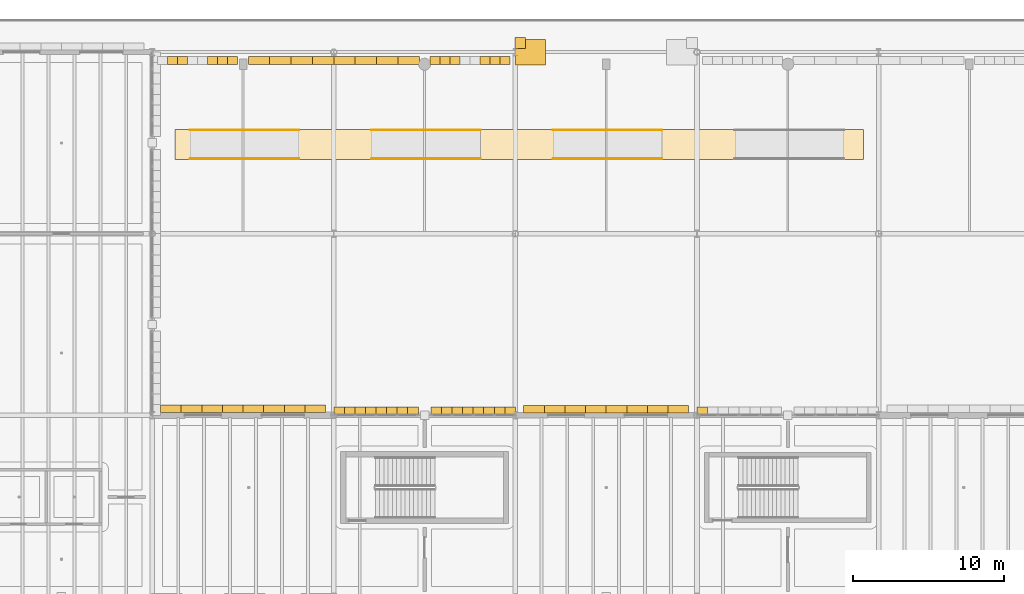
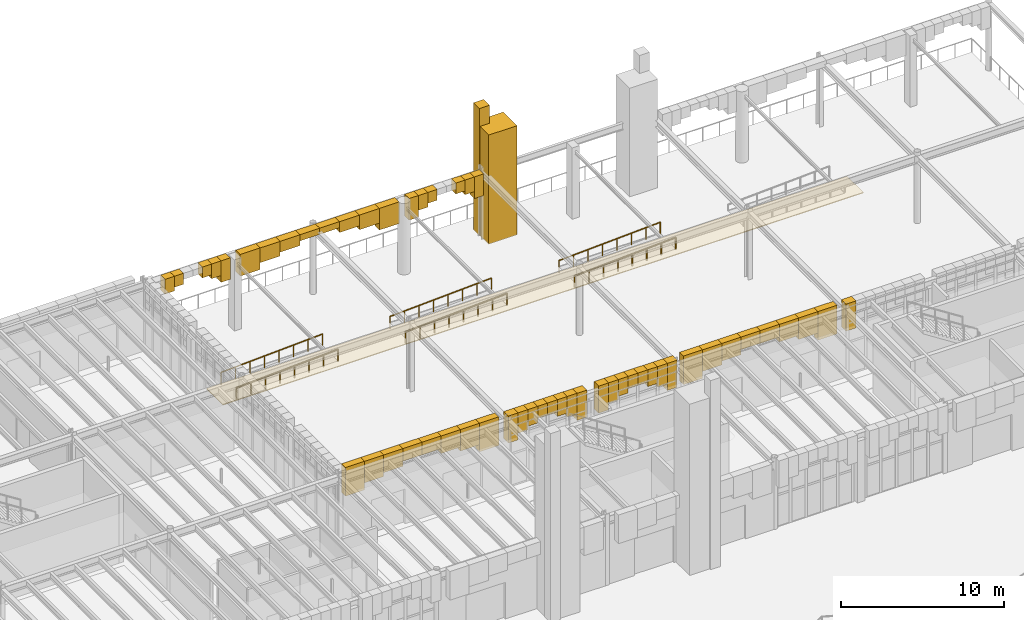
# One storey, part 89 of 103: 55 coverings, 6 railings.
"""IFC4 building model written with IfcOpenShell, lengths in metres."""

from ifc_helpers import new_model, si_unit, direction, frame, origin, origin_2d, place, context, subcontext, project, spatial, polyline, circle, outline, extrude, material, layer, layer_set, type_object, element, save


model = new_model("IFC4")

# Units and contexts
model_context = context("Model", 3, precision=1e-05, world=origin(), true_north=direction((0.0, 1.0)))
body_context = subcontext(model_context, "Body", "Model", "MODEL_VIEW")
ifc_project = project(units=[si_unit("LENGTHUNIT", "METRE"), si_unit("AREAUNIT", "SQUARE_METRE"), si_unit("VOLUMEUNIT", "CUBIC_METRE"), si_unit("PLANEANGLEUNIT", "RADIAN"), si_unit("MASSUNIT", "GRAM", prefix="KILO")], contexts=[model_context])

# Site, building, storey
site_placement = place(None, origin())
site = spatial("IfcSite", under=ifc_project, at=site_placement, CompositionType="ELEMENT")
building_placement = place(site_placement, origin())
building = spatial("IfcBuilding", under=site, at=building_placement, Name="Zlatogorsky Bluff Art Gallery", CompositionType="ELEMENT")
storey_placement = place(building_placement, origin())
storey = spatial("IfcBuildingStorey", under=building, at=storey_placement, Name="L00", CompositionType="ELEMENT", Elevation=0.0)

# Coverings
ifc_material_1 = material(Name="Honed Red Agra-Tone Quartzitic Sandstone", Category="masonry")
ifc_layer_1 = layer(ifc_material_1, 0.1201171875)
ifc_layer_set_1 = layer_set([ifc_layer_1], Name="Carved Sandstone Cladding CLD-02")
covering_type_1 = type_object("IfcCoveringType", Name="Carved Sandstone Cladding CLD-02", PredefinedType="CLADDING", material=ifc_layer_set_1)
covering_1_placement = place(storey_placement, frame((0.0, 0.0, 3.21240234375)))
element("IfcCovering", 1, at=covering_1_placement, inside=storey, type_object=covering_type_1, Name="Pointed Mughal arch voussoir spandrel WARCH-L00-N-05-08-A.1", PredefinedType="CLADDING", context=body_context, shape_type="SweptSolid", body=[
    extrude(outline(polyline([(60.550048828125, 96.18994140625), (61.91259765625, 96.18994140625), (61.91259765625, 96.679931640625), (60.550048828125, 96.679931640625), (60.550048828125, 96.18994140625)])), origin(), (0.0, 0.0, 1.0), 2.147705078125),
])
covering_2_placement = place(storey_placement, frame((0.0, 0.0, 3.743896484375)))
element("IfcCovering", 2, at=covering_2_placement, inside=storey, type_object=covering_type_1, Name="Pointed Mughal arch voussoir spandrel WARCH-L00-N-05-08-A.2", PredefinedType="CLADDING", context=body_context, shape_type="SweptSolid", body=[
    extrude(outline(polyline([(61.91259765625, 96.18994140625), (63.27490234375, 96.18994140625), (63.27490234375, 96.679931640625), (61.91259765625, 96.679931640625), (61.91259765625, 96.18994140625)])), origin(), (0.0, 0.0, 1.0), 1.6162109375),
])
covering_3_placement = place(storey_placement, frame((0.0, 0.0, 4.03662109375)))
element("IfcCovering", 3, at=covering_3_placement, inside=storey, type_object=covering_type_1, Name="Pointed Mughal arch voussoir spandrel WARCH-L00-N-05-08-A.3", PredefinedType="CLADDING", context=body_context, shape_type="SweptSolid", body=[
    extrude(outline(polyline([(63.27490234375, 96.18994140625), (64.637451171875, 96.18994140625), (64.637451171875, 96.679931640625), (63.27490234375, 96.679931640625), (63.27490234375, 96.18994140625)])), origin(), (0.0, 0.0, 1.0), 1.323486328125),
])
covering_4_placement = place(storey_placement, frame((0.0, 0.0, 4.405517578125)))
element("IfcCovering", 4, at=covering_4_placement, inside=storey, type_object=covering_type_1, Name="Pointed Mughal arch voussoir spandrel WARCH-L00-N-05-08-A.4", PredefinedType="CLADDING", context=body_context, shape_type="SweptSolid", body=[
    extrude(outline(polyline([(64.637451171875, 96.18994140625), (66.0, 96.18994140625), (66.0, 96.679931640625), (64.637451171875, 96.679931640625), (64.637451171875, 96.18994140625)])), origin(), (0.0, 0.0, 1.0), 0.95458984375),
])
covering_5_placement = place(storey_placement, frame((0.0, 0.0, 4.405517578125)))
element("IfcCovering", 5, at=covering_5_placement, inside=storey, type_object=covering_type_1, Name="Pointed Mughal arch voussoir spandrel WARCH-L00-N-05-08-A.5", PredefinedType="CLADDING", context=body_context, shape_type="SweptSolid", body=[
    extrude(outline(polyline([(66.0, 96.18994140625), (67.362548828125, 96.18994140625), (67.362548828125, 96.679931640625), (66.0, 96.679931640625), (66.0, 96.18994140625)])), origin(), (0.0, 0.0, 1.0), 0.95458984375),
])
covering_6_placement = place(storey_placement, frame((0.0, 0.0, 4.03662109375)))
element("IfcCovering", 6, at=covering_6_placement, inside=storey, type_object=covering_type_1, Name="Pointed Mughal arch voussoir spandrel WARCH-L00-N-05-08-A.6", PredefinedType="CLADDING", context=body_context, shape_type="SweptSolid", body=[
    extrude(outline(polyline([(67.362548828125, 96.18994140625), (68.72509765625, 96.18994140625), (68.72509765625, 96.679931640625), (67.362548828125, 96.679931640625), (67.362548828125, 96.18994140625)])), origin(), (0.0, 0.0, 1.0), 1.323486328125),
])
covering_7_placement = place(storey_placement, frame((0.0, 0.0, 3.743896484375)))
element("IfcCovering", 7, at=covering_7_placement, inside=storey, type_object=covering_type_1, Name="Pointed Mughal arch voussoir spandrel WARCH-L00-N-05-08-A.7", PredefinedType="CLADDING", context=body_context, shape_type="SweptSolid", body=[
    extrude(outline(polyline([(68.72509765625, 96.18994140625), (70.08740234375, 96.18994140625), (70.08740234375, 96.679931640625), (68.72509765625, 96.679931640625), (68.72509765625, 96.18994140625)])), origin(), (0.0, 0.0, 1.0), 1.6162109375),
])
covering_8_placement = place(storey_placement, frame((0.0, 0.0, 3.21240234375)))
element("IfcCovering", 8, at=covering_8_placement, inside=storey, type_object=covering_type_1, Name="Pointed Mughal arch voussoir spandrel WARCH-L00-N-05-08-A.8", PredefinedType="CLADDING", context=body_context, shape_type="SweptSolid", body=[
    extrude(outline(polyline([(70.08740234375, 96.18994140625), (71.449951171875, 96.18994140625), (71.449951171875, 96.679931640625), (70.08740234375, 96.679931640625), (70.08740234375, 96.18994140625)])), origin(), (0.0, 0.0, 1.0), 2.147705078125),
])
covering_9_placement = place(storey_placement, frame((0.0, 0.0, 3.327880859375)))
element("IfcCovering", 9, at=covering_9_placement, inside=storey, type_object=covering_type_1, Name="Pointed Mughal arch voussoir spandrel ARCH-CW-L00-N-06-08-A.1", PredefinedType="CLADDING", context=body_context, shape_type="SweptSolid", body=[
    extrude(outline(polyline([(78.419921875, 95.969970703125), (79.117431640625, 95.969970703125), (79.117431640625, 96.5400390625), (78.419921875, 96.5400390625), (78.419921875, 95.969970703125)])), origin(), (0.0, 0.0, 1.0), 2.0322265625),
])
covering_10_placement = place(storey_placement, frame((0.0, 0.0, 3.82958984375)))
element("IfcCovering", 10, at=covering_10_placement, inside=storey, type_object=covering_type_1, Name="Pointed Mughal arch voussoir spandrel ARCH-CW-L00-N-06-08-A.2", PredefinedType="CLADDING", context=body_context, shape_type="SweptSolid", body=[
    extrude(outline(polyline([(79.117431640625, 95.969970703125), (79.81494140625, 95.969970703125), (79.81494140625, 96.5400390625), (79.117431640625, 96.5400390625), (79.117431640625, 95.969970703125)])), origin(), (0.0, 0.0, 1.0), 1.530517578125),
])
covering_11_placement = place(storey_placement, frame((0.0, 0.0, 4.1064453125)))
element("IfcCovering", 11, at=covering_11_placement, inside=storey, type_object=covering_type_1, Name="Pointed Mughal arch voussoir spandrel ARCH-CW-L00-N-06-08-A.3", PredefinedType="CLADDING", context=body_context, shape_type="SweptSolid", body=[
    extrude(outline(polyline([(79.81494140625, 95.969970703125), (80.512451171875, 95.969970703125), (80.512451171875, 96.5400390625), (79.81494140625, 96.5400390625), (79.81494140625, 95.969970703125)])), origin(), (0.0, 0.0, 1.0), 1.253662109375),
])
covering_12_placement = place(storey_placement, frame((0.0, 0.0, 4.45458984375)))
element("IfcCovering", 12, at=covering_12_placement, inside=storey, type_object=covering_type_1, Name="Pointed Mughal arch voussoir spandrel ARCH-CW-L00-N-06-08-A.4", PredefinedType="CLADDING", context=body_context, shape_type="SweptSolid", body=[
    extrude(outline(polyline([(80.512451171875, 95.969970703125), (81.2099609375, 95.969970703125), (81.2099609375, 96.5400390625), (80.512451171875, 96.5400390625), (80.512451171875, 95.969970703125)])), origin(), (0.0, 0.0, 1.0), 0.905517578125),
])
covering_13_placement = place(storey_placement, frame((0.0, 0.0, 4.45458984375)))
element("IfcCovering", 13, at=covering_13_placement, inside=storey, type_object=covering_type_1, Name="Pointed Mughal arch voussoir spandrel ARCH-CW-L00-N-06-08-A.5", PredefinedType="CLADDING", context=body_context, shape_type="SweptSolid", body=[
    extrude(outline(polyline([(81.2099609375, 95.969970703125), (81.907470703125, 95.969970703125), (81.907470703125, 96.5400390625), (81.2099609375, 96.5400390625), (81.2099609375, 95.969970703125)])), origin(), (0.0, 0.0, 1.0), 0.905517578125),
])
covering_14_placement = place(storey_placement, frame((0.0, 0.0, 4.1064453125)))
element("IfcCovering", 14, at=covering_14_placement, inside=storey, type_object=covering_type_1, Name="Pointed Mughal arch voussoir spandrel ARCH-CW-L00-N-06-08-A.6", PredefinedType="CLADDING", context=body_context, shape_type="SweptSolid", body=[
    extrude(outline(polyline([(81.907470703125, 95.969970703125), (82.60498046875, 95.969970703125), (82.60498046875, 96.5400390625), (81.907470703125, 96.5400390625), (81.907470703125, 95.969970703125)])), origin(), (0.0, 0.0, 1.0), 1.253662109375),
])
covering_15_placement = place(storey_placement, frame((0.0, 0.0, 3.82958984375)))
element("IfcCovering", 15, at=covering_15_placement, inside=storey, type_object=covering_type_1, Name="Pointed Mughal arch voussoir spandrel ARCH-CW-L00-N-06-08-A.7", PredefinedType="CLADDING", context=body_context, shape_type="SweptSolid", body=[
    extrude(outline(polyline([(82.60498046875, 95.969970703125), (83.302490234375, 95.969970703125), (83.302490234375, 96.5400390625), (82.60498046875, 96.5400390625), (82.60498046875, 95.969970703125)])), origin(), (0.0, 0.0, 1.0), 1.530517578125),
])
covering_16_placement = place(storey_placement, frame((0.0, 0.0, 3.327880859375)))
element("IfcCovering", 16, at=covering_16_placement, inside=storey, type_object=covering_type_1, Name="Pointed Mughal arch voussoir spandrel ARCH-CW-L00-N-06-08-A.8", PredefinedType="CLADDING", context=body_context, shape_type="SweptSolid", body=[
    extrude(outline(polyline([(83.302490234375, 95.969970703125), (84.0, 95.969970703125), (84.0, 96.5400390625), (83.302490234375, 96.5400390625), (83.302490234375, 95.969970703125)])), origin(), (0.0, 0.0, 1.0), 2.0322265625),
])
covering_17_placement = place(storey_placement, frame((0.0, 0.0, 3.327880859375)))
element("IfcCovering", 17, at=covering_17_placement, inside=storey, type_object=covering_type_1, Name="Pointed Mughal arch voussoir spandrel ARCH-CW-L00-N-06-08-B.1", PredefinedType="CLADDING", context=body_context, shape_type="SweptSolid", body=[
    extrude(outline(polyline([(72.0, 95.969970703125), (72.697509765625, 95.969970703125), (72.697509765625, 96.5400390625), (72.0, 96.5400390625), (72.0, 95.969970703125)])), origin(), (0.0, 0.0, 1.0), 2.0322265625),
])
covering_18_placement = place(storey_placement, frame((0.0, 0.0, 3.82958984375)))
element("IfcCovering", 18, at=covering_18_placement, inside=storey, type_object=covering_type_1, Name="Pointed Mughal arch voussoir spandrel ARCH-CW-L00-N-06-08-B.2", PredefinedType="CLADDING", context=body_context, shape_type="SweptSolid", body=[
    extrude(outline(polyline([(72.697509765625, 95.969970703125), (73.39501953125, 95.969970703125), (73.39501953125, 96.5400390625), (72.697509765625, 96.5400390625), (72.697509765625, 95.969970703125)])), origin(), (0.0, 0.0, 1.0), 1.530517578125),
])
covering_19_placement = place(storey_placement, frame((0.0, 0.0, 4.1064453125)))
element("IfcCovering", 19, at=covering_19_placement, inside=storey, type_object=covering_type_1, Name="Pointed Mughal arch voussoir spandrel ARCH-CW-L00-N-06-08-B.3", PredefinedType="CLADDING", context=body_context, shape_type="SweptSolid", body=[
    extrude(outline(polyline([(73.39501953125, 95.969970703125), (74.092529296875, 95.969970703125), (74.092529296875, 96.5400390625), (73.39501953125, 96.5400390625), (73.39501953125, 95.969970703125)])), origin(), (0.0, 0.0, 1.0), 1.253662109375),
])
covering_20_placement = place(storey_placement, frame((0.0, 0.0, 4.45458984375)))
element("IfcCovering", 20, at=covering_20_placement, inside=storey, type_object=covering_type_1, Name="Pointed Mughal arch voussoir spandrel ARCH-CW-L00-N-06-08-B.4", PredefinedType="CLADDING", context=body_context, shape_type="SweptSolid", body=[
    extrude(outline(polyline([(74.092529296875, 95.969970703125), (74.7900390625, 95.969970703125), (74.7900390625, 96.5400390625), (74.092529296875, 96.5400390625), (74.092529296875, 95.969970703125)])), origin(), (0.0, 0.0, 1.0), 0.905517578125),
])
covering_21_placement = place(storey_placement, frame((0.0, 0.0, 4.45458984375)))
element("IfcCovering", 21, at=covering_21_placement, inside=storey, type_object=covering_type_1, Name="Pointed Mughal arch voussoir spandrel ARCH-CW-L00-N-06-08-B.5", PredefinedType="CLADDING", context=body_context, shape_type="SweptSolid", body=[
    extrude(outline(polyline([(74.7900390625, 95.969970703125), (75.487548828125, 95.969970703125), (75.487548828125, 96.5400390625), (74.7900390625, 96.5400390625), (74.7900390625, 95.969970703125)])), origin(), (0.0, 0.0, 1.0), 0.905517578125),
])
covering_22_placement = place(storey_placement, frame((0.0, 0.0, 4.1064453125)))
element("IfcCovering", 22, at=covering_22_placement, inside=storey, type_object=covering_type_1, Name="Pointed Mughal arch voussoir spandrel ARCH-CW-L00-N-06-08-B.6", PredefinedType="CLADDING", context=body_context, shape_type="SweptSolid", body=[
    extrude(outline(polyline([(75.487548828125, 95.969970703125), (76.18505859375, 95.969970703125), (76.18505859375, 96.5400390625), (75.487548828125, 96.5400390625), (75.487548828125, 95.969970703125)])), origin(), (0.0, 0.0, 1.0), 1.253662109375),
])
covering_23_placement = place(storey_placement, frame((0.0, 0.0, 3.82958984375)))
element("IfcCovering", 23, at=covering_23_placement, inside=storey, type_object=covering_type_1, Name="Pointed Mughal arch voussoir spandrel ARCH-CW-L00-N-06-08-B.7", PredefinedType="CLADDING", context=body_context, shape_type="SweptSolid", body=[
    extrude(outline(polyline([(76.18505859375, 95.969970703125), (76.882568359375, 95.969970703125), (76.882568359375, 96.5400390625), (76.18505859375, 96.5400390625), (76.18505859375, 95.969970703125)])), origin(), (0.0, 0.0, 1.0), 1.530517578125),
])
covering_24_placement = place(storey_placement, frame((0.0, 0.0, 3.327880859375)))
element("IfcCovering", 24, at=covering_24_placement, inside=storey, type_object=covering_type_1, Name="Pointed Mughal arch voussoir spandrel ARCH-CW-L00-N-06-08-B.8", PredefinedType="CLADDING", context=body_context, shape_type="SweptSolid", body=[
    extrude(outline(polyline([(76.882568359375, 95.969970703125), (77.580078125, 95.969970703125), (77.580078125, 96.5400390625), (76.882568359375, 96.5400390625), (76.882568359375, 95.969970703125)])), origin(), (0.0, 0.0, 1.0), 2.0322265625),
])
covering_25_placement = place(storey_placement, frame((0.0, 0.0, 3.21240234375)))
element("IfcCovering", 25, at=covering_25_placement, inside=storey, type_object=covering_type_1, Name="Pointed Mughal arch voussoir spandrel WARCH-L00-N-07-08-A.1", PredefinedType="CLADDING", context=body_context, shape_type="SweptSolid", body=[
    extrude(outline(polyline([(84.550048828125, 96.14990234375), (85.91259765625, 96.14990234375), (85.91259765625, 96.639892578125), (84.550048828125, 96.639892578125), (84.550048828125, 96.14990234375)])), origin(), (0.0, 0.0, 1.0), 2.147705078125),
])
covering_26_placement = place(storey_placement, frame((0.0, 0.0, 3.743896484375)))
element("IfcCovering", 26, at=covering_26_placement, inside=storey, type_object=covering_type_1, Name="Pointed Mughal arch voussoir spandrel WARCH-L00-N-07-08-A.2", PredefinedType="CLADDING", context=body_context, shape_type="SweptSolid", body=[
    extrude(outline(polyline([(85.91259765625, 96.14990234375), (87.27490234375, 96.14990234375), (87.27490234375, 96.639892578125), (85.91259765625, 96.639892578125), (85.91259765625, 96.14990234375)])), origin(), (0.0, 0.0, 1.0), 1.6162109375),
])
covering_27_placement = place(storey_placement, frame((0.0, 0.0, 4.03662109375)))
element("IfcCovering", 27, at=covering_27_placement, inside=storey, type_object=covering_type_1, Name="Pointed Mughal arch voussoir spandrel WARCH-L00-N-07-08-A.3", PredefinedType="CLADDING", context=body_context, shape_type="SweptSolid", body=[
    extrude(outline(polyline([(87.27490234375, 96.14990234375), (88.637451171875, 96.14990234375), (88.637451171875, 96.639892578125), (87.27490234375, 96.639892578125), (87.27490234375, 96.14990234375)])), origin(), (0.0, 0.0, 1.0), 1.323486328125),
])
covering_28_placement = place(storey_placement, frame((0.0, 0.0, 4.405517578125)))
element("IfcCovering", 28, at=covering_28_placement, inside=storey, type_object=covering_type_1, Name="Pointed Mughal arch voussoir spandrel WARCH-L00-N-07-08-A.4", PredefinedType="CLADDING", context=body_context, shape_type="SweptSolid", body=[
    extrude(outline(polyline([(88.637451171875, 96.14990234375), (90.0, 96.14990234375), (90.0, 96.639892578125), (88.637451171875, 96.639892578125), (88.637451171875, 96.14990234375)])), origin(), (0.0, 0.0, 1.0), 0.95458984375),
])
covering_29_placement = place(storey_placement, frame((0.0, 0.0, 4.405517578125)))
element("IfcCovering", 29, at=covering_29_placement, inside=storey, type_object=covering_type_1, Name="Pointed Mughal arch voussoir spandrel WARCH-L00-N-07-08-A.5", PredefinedType="CLADDING", context=body_context, shape_type="SweptSolid", body=[
    extrude(outline(polyline([(90.0, 96.14990234375), (91.362548828125, 96.14990234375), (91.362548828125, 96.639892578125), (90.0, 96.639892578125), (90.0, 96.14990234375)])), origin(), (0.0, 0.0, 1.0), 0.95458984375),
])
covering_30_placement = place(storey_placement, frame((0.0, 0.0, 4.03662109375)))
element("IfcCovering", 30, at=covering_30_placement, inside=storey, type_object=covering_type_1, Name="Pointed Mughal arch voussoir spandrel WARCH-L00-N-07-08-A.6", PredefinedType="CLADDING", context=body_context, shape_type="SweptSolid", body=[
    extrude(outline(polyline([(91.362548828125, 96.14990234375), (92.72509765625, 96.14990234375), (92.72509765625, 96.639892578125), (91.362548828125, 96.639892578125), (91.362548828125, 96.14990234375)])), origin(), (0.0, 0.0, 1.0), 1.323486328125),
])
covering_31_placement = place(storey_placement, frame((0.0, 0.0, 3.743896484375)))
element("IfcCovering", 31, at=covering_31_placement, inside=storey, type_object=covering_type_1, Name="Pointed Mughal arch voussoir spandrel WARCH-L00-N-07-08-A.7", PredefinedType="CLADDING", context=body_context, shape_type="SweptSolid", body=[
    extrude(outline(polyline([(92.72509765625, 96.14990234375), (94.08740234375, 96.14990234375), (94.08740234375, 96.639892578125), (92.72509765625, 96.639892578125), (92.72509765625, 96.14990234375)])), origin(), (0.0, 0.0, 1.0), 1.6162109375),
])
covering_32_placement = place(storey_placement, frame((0.0, 0.0, 3.21240234375)))
element("IfcCovering", 32, at=covering_32_placement, inside=storey, type_object=covering_type_1, Name="Pointed Mughal arch voussoir spandrel WARCH-L00-N-07-08-A.8", PredefinedType="CLADDING", context=body_context, shape_type="SweptSolid", body=[
    extrude(outline(polyline([(94.08740234375, 96.14990234375), (95.449951171875, 96.14990234375), (95.449951171875, 96.639892578125), (94.08740234375, 96.639892578125), (94.08740234375, 96.14990234375)])), origin(), (0.0, 0.0, 1.0), 2.147705078125),
])
covering_33_placement = place(storey_placement, frame((0.0, 0.0, 3.327880859375)))
element("IfcCovering", 33, at=covering_33_placement, inside=storey, type_object=covering_type_1, Name="Pointed Mughal arch voussoir spandrel ARCH-CW-L00-N-08-08-B.1", PredefinedType="CLADDING", context=body_context, shape_type="SweptSolid", body=[
    extrude(outline(polyline([(96.0, 95.969970703125), (96.697509765625, 95.969970703125), (96.697509765625, 96.5400390625), (96.0, 96.5400390625), (96.0, 95.969970703125)])), origin(), (0.0, 0.0, 1.0), 2.0322265625),
])
covering_34_placement = place(storey_placement, origin())
element("IfcCovering", 34, at=covering_34_placement, inside=storey, type_object=covering_type_1, Name="Monumental Pishtaq portal pier PISHTAQ-N-DALAN.L", PredefinedType="CLADDING", context=body_context, shape_type="SweptSolid", body=[
    extrude(outline(polyline([(84.0, 119.159912109375), (86.0, 119.159912109375), (86.0, 120.85009765625), (84.0, 120.85009765625), (84.0, 119.159912109375)])), origin(), (0.0, 0.0, 1.0), 8.199951171875),
])
covering_35_placement = place(storey_placement, frame((0.0, 0.0, 4.296630859375)))
element("IfcCovering", 35, at=covering_35_placement, inside=storey, type_object=covering_type_1, Name="Pointed Mughal arch voussoir spandrel DALAN-FC-01.2", PredefinedType="CLADDING", context=body_context, shape_type="SweptSolid", body=[
    extrude(outline(polyline([(61.012451171875, 119.169921875), (61.675048828125, 119.169921875), (61.675048828125, 119.719970703125), (61.012451171875, 119.719970703125), (61.012451171875, 119.169921875)])), origin(), (0.0, 0.0, 1.0), 1.103271484375),
])
covering_36_placement = place(storey_placement, frame((0.0, 0.0, 4.58154296875)))
element("IfcCovering", 36, at=covering_36_placement, inside=storey, type_object=covering_type_1, Name="Pointed Mughal arch voussoir spandrel DALAN-FC-01.3", PredefinedType="CLADDING", context=body_context, shape_type="SweptSolid", body=[
    extrude(outline(polyline([(61.675048828125, 119.169921875), (62.33740234375, 119.169921875), (62.33740234375, 119.719970703125), (61.675048828125, 119.719970703125), (61.675048828125, 119.169921875)])), origin(), (0.0, 0.0, 1.0), 0.818359375),
])
covering_37_placement = place(storey_placement, frame((0.0, 0.0, 4.58154296875)))
element("IfcCovering", 37, at=covering_37_placement, inside=storey, type_object=covering_type_1, Name="Pointed Mughal arch voussoir spandrel DALAN-FC-01.6", PredefinedType="CLADDING", context=body_context, shape_type="SweptSolid", body=[
    extrude(outline(polyline([(63.66259765625, 119.169921875), (64.324951171875, 119.169921875), (64.324951171875, 119.719970703125), (63.66259765625, 119.719970703125), (63.66259765625, 119.169921875)])), origin(), (0.0, 0.0, 1.0), 0.818359375),
])
covering_38_placement = place(storey_placement, frame((0.0, 0.0, 4.296630859375)))
element("IfcCovering", 38, at=covering_38_placement, inside=storey, type_object=covering_type_1, Name="Pointed Mughal arch voussoir spandrel DALAN-FC-01.7", PredefinedType="CLADDING", context=body_context, shape_type="SweptSolid", body=[
    extrude(outline(polyline([(64.324951171875, 119.169921875), (64.987548828125, 119.169921875), (64.987548828125, 119.719970703125), (64.324951171875, 119.719970703125), (64.324951171875, 119.169921875)])), origin(), (0.0, 0.0, 1.0), 1.103271484375),
])
covering_39_placement = place(storey_placement, frame((0.0, 0.0, 3.780029296875)))
element("IfcCovering", 39, at=covering_39_placement, inside=storey, type_object=covering_type_1, Name="Pointed Mughal arch voussoir spandrel DALAN-FC-01.8", PredefinedType="CLADDING", context=body_context, shape_type="SweptSolid", body=[
    extrude(outline(polyline([(64.987548828125, 119.169921875), (65.64990234375, 119.169921875), (65.64990234375, 119.719970703125), (64.987548828125, 119.719970703125), (64.987548828125, 119.169921875)])), origin(), (0.0, 0.0, 1.0), 1.619873046875),
])
covering_40_placement = place(storey_placement, frame((0.0, 0.0, 3.780029296875)))
element("IfcCovering", 40, at=covering_40_placement, inside=storey, type_object=covering_type_1, Name="Pointed Mughal arch voussoir spandrel DALAN-FC-02.1", PredefinedType="CLADDING", context=body_context, shape_type="SweptSolid", body=[
    extrude(outline(polyline([(66.35009765625, 119.169921875), (67.762451171875, 119.169921875), (67.762451171875, 119.719970703125), (66.35009765625, 119.719970703125), (66.35009765625, 119.169921875)])), origin(), (0.0, 0.0, 1.0), 1.619873046875),
])
covering_41_placement = place(storey_placement, frame((0.0, 0.0, 4.296630859375)))
element("IfcCovering", 41, at=covering_41_placement, inside=storey, type_object=covering_type_1, Name="Pointed Mughal arch voussoir spandrel DALAN-FC-02.2", PredefinedType="CLADDING", context=body_context, shape_type="SweptSolid", body=[
    extrude(outline(polyline([(67.762451171875, 119.169921875), (69.175048828125, 119.169921875), (69.175048828125, 119.719970703125), (67.762451171875, 119.719970703125), (67.762451171875, 119.169921875)])), origin(), (0.0, 0.0, 1.0), 1.103271484375),
])
covering_42_placement = place(storey_placement, frame((0.0, 0.0, 4.58154296875)))
element("IfcCovering", 42, at=covering_42_placement, inside=storey, type_object=covering_type_1, Name="Pointed Mughal arch voussoir spandrel DALAN-FC-02.3", PredefinedType="CLADDING", context=body_context, shape_type="SweptSolid", body=[
    extrude(outline(polyline([(69.175048828125, 119.169921875), (70.58740234375, 119.169921875), (70.58740234375, 119.719970703125), (69.175048828125, 119.719970703125), (69.175048828125, 119.169921875)])), origin(), (0.0, 0.0, 1.0), 0.818359375),
])
covering_43_placement = place(storey_placement, frame((0.0, 0.0, 4.93994140625)))
element("IfcCovering", 43, at=covering_43_placement, inside=storey, type_object=covering_type_1, Name="Pointed Mughal arch voussoir spandrel DALAN-FC-02.4", PredefinedType="CLADDING", context=body_context, shape_type="SweptSolid", body=[
    extrude(outline(polyline([(70.58740234375, 119.169921875), (72.0, 119.169921875), (72.0, 119.719970703125), (70.58740234375, 119.719970703125), (70.58740234375, 119.169921875)])), origin(), (0.0, 0.0, 1.0), 0.4599609375),
])
covering_44_placement = place(storey_placement, frame((0.0, 0.0, 4.93994140625)))
element("IfcCovering", 44, at=covering_44_placement, inside=storey, type_object=covering_type_1, Name="Pointed Mughal arch voussoir spandrel DALAN-FC-02.5", PredefinedType="CLADDING", context=body_context, shape_type="SweptSolid", body=[
    extrude(outline(polyline([(72.0, 119.169921875), (73.41259765625, 119.169921875), (73.41259765625, 119.719970703125), (72.0, 119.719970703125), (72.0, 119.169921875)])), origin(), (0.0, 0.0, 1.0), 0.4599609375),
])
covering_45_placement = place(storey_placement, frame((0.0, 0.0, 4.58154296875)))
element("IfcCovering", 45, at=covering_45_placement, inside=storey, type_object=covering_type_1, Name="Pointed Mughal arch voussoir spandrel DALAN-FC-02.6", PredefinedType="CLADDING", context=body_context, shape_type="SweptSolid", body=[
    extrude(outline(polyline([(73.41259765625, 119.169921875), (74.824951171875, 119.169921875), (74.824951171875, 119.719970703125), (73.41259765625, 119.719970703125), (73.41259765625, 119.169921875)])), origin(), (0.0, 0.0, 1.0), 0.818359375),
])
covering_46_placement = place(storey_placement, frame((0.0, 0.0, 4.296630859375)))
element("IfcCovering", 46, at=covering_46_placement, inside=storey, type_object=covering_type_1, Name="Pointed Mughal arch voussoir spandrel DALAN-FC-02.7", PredefinedType="CLADDING", context=body_context, shape_type="SweptSolid", body=[
    extrude(outline(polyline([(74.824951171875, 119.169921875), (76.237548828125, 119.169921875), (76.237548828125, 119.719970703125), (74.824951171875, 119.719970703125), (74.824951171875, 119.169921875)])), origin(), (0.0, 0.0, 1.0), 1.103271484375),
])
covering_47_placement = place(storey_placement, frame((0.0, 0.0, 3.780029296875)))
element("IfcCovering", 47, at=covering_47_placement, inside=storey, type_object=covering_type_1, Name="Pointed Mughal arch voussoir spandrel DALAN-FC-02.8", PredefinedType="CLADDING", context=body_context, shape_type="SweptSolid", body=[
    extrude(outline(polyline([(76.237548828125, 119.169921875), (77.64990234375, 119.169921875), (77.64990234375, 119.719970703125), (76.237548828125, 119.719970703125), (76.237548828125, 119.169921875)])), origin(), (0.0, 0.0, 1.0), 1.619873046875),
])
covering_48_placement = place(storey_placement, frame((0.0, 0.0, 3.780029296875)))
element("IfcCovering", 48, at=covering_48_placement, inside=storey, type_object=covering_type_1, Name="Pointed Mughal arch voussoir spandrel DALAN-FC-03.1", PredefinedType="CLADDING", context=body_context, shape_type="SweptSolid", body=[
    extrude(outline(polyline([(78.35009765625, 119.169921875), (79.012451171875, 119.169921875), (79.012451171875, 119.719970703125), (78.35009765625, 119.719970703125), (78.35009765625, 119.169921875)])), origin(), (0.0, 0.0, 1.0), 1.619873046875),
])
covering_49_placement = place(storey_placement, frame((0.0, 0.0, 4.296630859375)))
element("IfcCovering", 49, at=covering_49_placement, inside=storey, type_object=covering_type_1, Name="Pointed Mughal arch voussoir spandrel DALAN-FC-03.2", PredefinedType="CLADDING", context=body_context, shape_type="SweptSolid", body=[
    extrude(outline(polyline([(79.012451171875, 119.169921875), (79.675048828125, 119.169921875), (79.675048828125, 119.719970703125), (79.012451171875, 119.719970703125), (79.012451171875, 119.169921875)])), origin(), (0.0, 0.0, 1.0), 1.103271484375),
])
covering_50_placement = place(storey_placement, frame((0.0, 0.0, 4.58154296875)))
element("IfcCovering", 50, at=covering_50_placement, inside=storey, type_object=covering_type_1, Name="Pointed Mughal arch voussoir spandrel DALAN-FC-03.3", PredefinedType="CLADDING", context=body_context, shape_type="SweptSolid", body=[
    extrude(outline(polyline([(79.675048828125, 119.169921875), (80.33740234375, 119.169921875), (80.33740234375, 119.719970703125), (79.675048828125, 119.719970703125), (79.675048828125, 119.169921875)])), origin(), (0.0, 0.0, 1.0), 0.818359375),
])
covering_51_placement = place(storey_placement, frame((0.0, 0.0, 4.58154296875)))
element("IfcCovering", 51, at=covering_51_placement, inside=storey, type_object=covering_type_1, Name="Pointed Mughal arch voussoir spandrel DALAN-FC-03.6", PredefinedType="CLADDING", context=body_context, shape_type="SweptSolid", body=[
    extrude(outline(polyline([(81.66259765625, 119.169921875), (82.324951171875, 119.169921875), (82.324951171875, 119.719970703125), (81.66259765625, 119.719970703125), (81.66259765625, 119.169921875)])), origin(), (0.0, 0.0, 1.0), 0.818359375),
])
covering_52_placement = place(storey_placement, frame((0.0, 0.0, 4.296630859375)))
element("IfcCovering", 52, at=covering_52_placement, inside=storey, type_object=covering_type_1, Name="Pointed Mughal arch voussoir spandrel DALAN-FC-03.7", PredefinedType="CLADDING", context=body_context, shape_type="SweptSolid", body=[
    extrude(outline(polyline([(82.324951171875, 119.169921875), (82.987548828125, 119.169921875), (82.987548828125, 119.719970703125), (82.324951171875, 119.719970703125), (82.324951171875, 119.169921875)])), origin(), (0.0, 0.0, 1.0), 1.103271484375),
])
covering_53_placement = place(storey_placement, frame((0.0, 0.0, 3.780029296875)))
element("IfcCovering", 53, at=covering_53_placement, inside=storey, type_object=covering_type_1, Name="Pointed Mughal arch voussoir spandrel DALAN-FC-03.8", PredefinedType="CLADDING", context=body_context, shape_type="SweptSolid", body=[
    extrude(outline(polyline([(82.987548828125, 119.169921875), (83.64990234375, 119.169921875), (83.64990234375, 119.719970703125), (82.987548828125, 119.719970703125), (82.987548828125, 119.169921875)])), origin(), (0.0, 0.0, 1.0), 1.619873046875),
])
ifc_material_2 = material(Name="Flamed Karelian Granite and Red Porphyry Charbagh Paving", Category="masonry")
ifc_layer_2 = layer(ifc_material_2, 0.06005859375)
ifc_layer_set_2 = layer_set([ifc_layer_2], Name="Granite Plaza Paving PAV-01")
covering_type_2 = type_object("IfcCoveringType", Name="Granite Plaza Paving PAV-01", PredefinedType="FLOORING", material=ifc_layer_set_2)
covering_54_placement = place(storey_placement, frame((0.0, 0.0, -0.419921875)))
element("IfcCovering", 54, at=covering_54_placement, inside=storey, type_object=covering_type_2, Name="North forecourt charbagh stepped water-channel paving", PredefinedType="FLOORING", context=body_context, shape_type="SweptSolid", body=[
    extrude(outline(polyline([(61.5, 112.89990234375), (107.0, 112.89990234375), (107.0, 114.89990234375), (61.5, 114.89990234375), (61.5, 112.89990234375)])), origin(), (0.0, 0.0, 1.0), 0.059814453125),
])

# Railings
ifc_material_3 = material(Name="Brushed Stainless Steel", Category="steel")
railing_type = type_object("IfcRailingType", Name="Stair Pitch Handrail 900mm", PredefinedType="HANDRAIL", material=ifc_material_3)
for number, where, name in (
    (55, (62.5, 112.949951171875, -0.360107421875), "Ramp RAMP-01 handrail L"),
    (56, (62.5, 114.85009765625, -0.360107421875), "Ramp RAMP-01 handrail R"),
    (57, (74.5, 112.949951171875, -0.360107421875), "Ramp RAMP-02 handrail L"),
    (58, (74.5, 114.85009765625, -0.360107421875), "Ramp RAMP-02 handrail R"),
    (59, (86.5, 112.949951171875, -0.360107421875), "Ramp RAMP-03 handrail L"),
    (60, (86.5, 114.85009765625, -0.360107421875), "Ramp RAMP-03 handrail R"),
):
    element("IfcRailing", number, at=place(storey_placement, frame(where)), inside=storey, type_object=railing_type, Name=name, PredefinedType="HANDRAIL", context=body_context, shape_type="SweptSolid", body=[
        extrude(circle(Radius=0.02392578125, at=origin_2d()), frame((0.0, 0.0, 0.8759765625), z_axis=(0.99875157867, 0.0, 0.049952818777), x_axis=(0.0, 1.0, 0.0)), (0.0, 0.0, 1.0), 7.208984375),
        extrude(circle(Radius=0.02099609375, at=origin_2d()), origin(), (0.0, 0.0, 1.0), 0.851806640625),
        extrude(circle(Radius=0.02099609375, at=origin_2d()), frame((1.028564453125, 0.0, 0.051513671875)), (0.0, 0.0, 1.0), 0.851806640625),
        extrude(circle(Radius=0.02099609375, at=origin_2d()), frame((2.05712890625, 0.0, 0.102783203125)), (0.0, 0.0, 1.0), 0.851806640625),
        extrude(circle(Radius=0.02099609375, at=origin_2d()), frame((3.085693359375, 0.0, 0.154296875)), (0.0, 0.0, 1.0), 0.851806640625),
        extrude(circle(Radius=0.02099609375, at=origin_2d()), frame((4.1142578125, 0.0, 0.205810546875)), (0.0, 0.0, 1.0), 0.851806640625),
        extrude(circle(Radius=0.02099609375, at=origin_2d()), frame((5.142822265625, 0.0, 0.25732421875)), (0.0, 0.0, 1.0), 0.851806640625),
        extrude(circle(Radius=0.02099609375, at=origin_2d()), frame((6.17138671875, 0.0, 0.30859375)), (0.0, 0.0, 1.0), 0.851806640625),
        extrude(circle(Radius=0.02099609375, at=origin_2d()), frame((7.199951171875, 0.0, 0.360107421875)), (0.0, 0.0, 1.0), 0.851806640625),
    ])

# Covering
ifc_material_4 = material(Name="Patinated Architectural Bronze Fin", Category="metal")
ifc_layer_3 = layer(ifc_material_4, 0.110107421875)
ifc_layer_set_3 = layer_set([ifc_layer_3], Name="Vertical Gallery Fin FIN-01")
covering_type_3 = type_object("IfcCoveringType", Name="Vertical Gallery Fin FIN-01", PredefinedType="CLADDING", material=ifc_layer_set_3)
covering_55_placement = place(storey_placement, origin())
element("IfcCovering", 61, at=covering_55_placement, inside=storey, type_object=covering_type_3, Name="Pishtaq corner guldasta turret PISHTAQ-N-DALAN.L", PredefinedType="CLADDING", context=body_context, shape_type="SweptSolid", body=[
    extrude(outline(polyline([(83.9599609375, 120.239990234375), (84.679931640625, 120.239990234375), (84.679931640625, 120.9599609375), (83.9599609375, 120.9599609375), (83.9599609375, 120.239990234375)])), origin(), (0.0, 0.0, 1.0), 9.550048828125),
])

save(model, "model.ifc")
